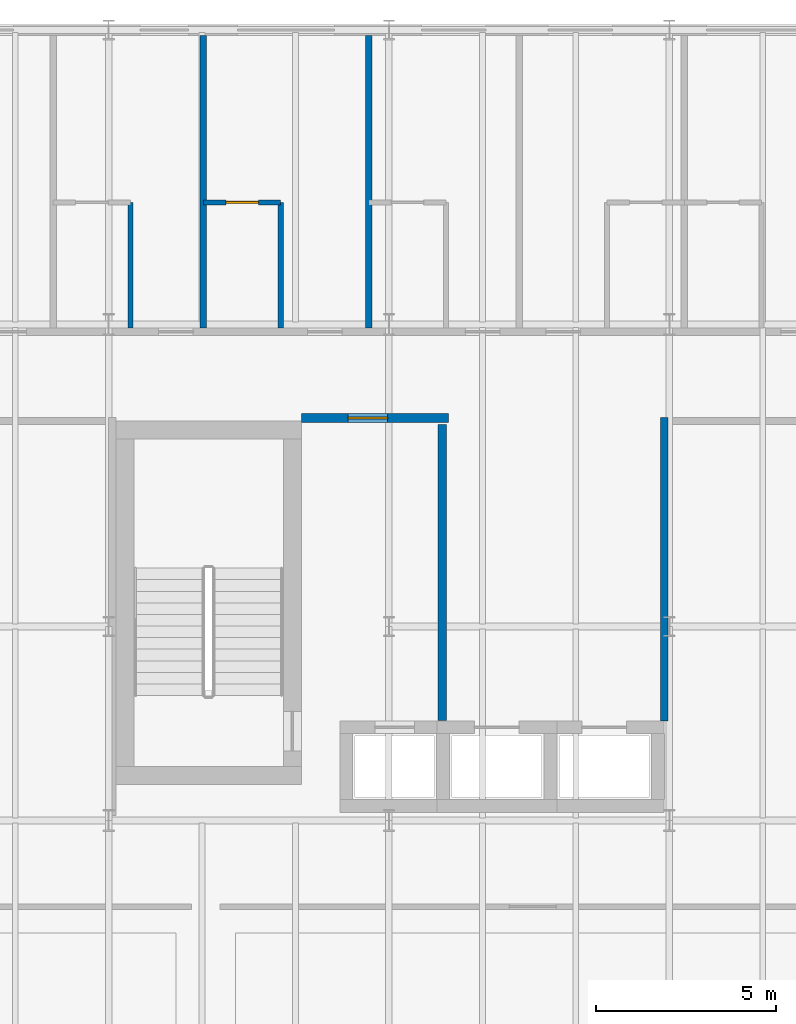
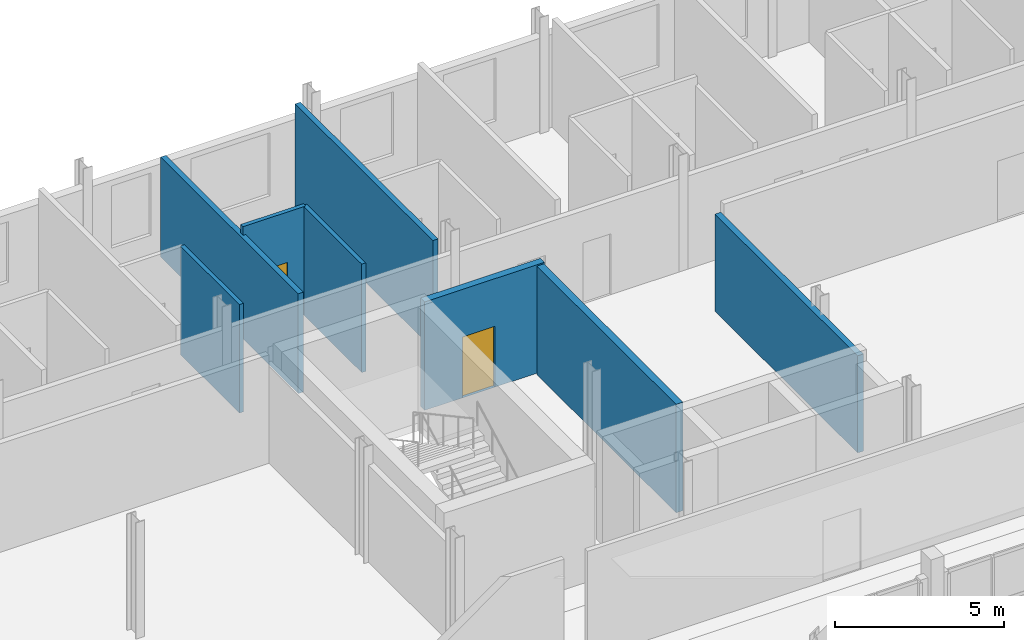
# One storey, part 47 of 58: 8 walls, 2 doors, 2 openings.
"""IFC4 building model written with IfcOpenShell, lengths in metres."""

from ifc_helpers import new_model, si_unit, direction, frame, frame_2d, origin, place, context, subcontext, project, spatial, rectangle, extrude, material, layer, layer_set, type_object, element, fill, save


model = new_model("IFC4")

# Units and contexts
model_context = context("Model", 3, precision=1e-05, world=origin(), true_north=direction((0.0, 1.0)))
body_context = subcontext(model_context, "Body", "Model", "MODEL_VIEW")
ifc_project = project(units=[si_unit("LENGTHUNIT", "METRE"), si_unit("AREAUNIT", "SQUARE_METRE"), si_unit("VOLUMEUNIT", "CUBIC_METRE"), si_unit("PLANEANGLEUNIT", "RADIAN"), si_unit("MASSUNIT", "GRAM", prefix="KILO")], contexts=[model_context])

# Site, building, storey
site_placement = place(None, origin())
site = spatial("IfcSite", under=ifc_project, at=site_placement, CompositionType="ELEMENT")
building_placement = place(site_placement, origin())
building = spatial("IfcBuilding", under=site, at=building_placement, Name="Sefraquen Railside Congress Hotel", CompositionType="ELEMENT")
storey_placement = place(building_placement, frame((0.0, 0.0, 16.199951171875)))
storey = spatial("IfcBuildingStorey", under=building, at=storey_placement, Name="L03", CompositionType="ELEMENT", Elevation=16.199951171875)

# Wall
ifc_material_1 = material(Name="Concrete C40/50", Category="concrete")
ifc_layer_1 = layer(ifc_material_1, 0.239990234375)
ifc_layer_set_1 = layer_set([ifc_layer_1], Name="Concrete C40/50")
wall_type_1 = type_object("IfcWallType", Name="TW-FW-240", PredefinedType="STANDARD", material=ifc_layer_set_1)
wall_1_placement = place(storey_placement, frame((73.47998046875, 98.780029296875, 0.0), z_axis=(0.0, 0.0, 1.0), x_axis=(0.0, 1.0, 0.0)))
element("IfcWall", 1, at=wall_1_placement, inside=storey, type_object=wall_type_1, Name="Firefighting Lift Lobby FFL-03 east fire wall L03", PredefinedType="STANDARD", context=body_context, shape_type="SweptSolid", body=[
    extrude(rectangle(XDim=8.239990234375, YDim=0.239990234375, at=frame_2d((4.1201171875, 0.0))), origin(), (0.0, 0.0, 1.0), 3.920166015625),
])

# Wall, opening, door
wall_2_placement = place(storey_placement, frame((69.56005859375, 107.199951171875, 0.0), z_axis=(0.0, 0.0, 1.0), x_axis=(1.0, 0.0, 0.0)))
wall_2 = element("IfcWall", 2, at=wall_2_placement, inside=storey, type_object=wall_type_1, Name="Firefighting Lift Lobby FFL-03 EI 120 separation wall L03", PredefinedType="STANDARD", context=body_context, shape_type="SweptSolid", body=[
    extrude(rectangle(XDim=4.099853515625, YDim=0.239990234375, at=frame_2d((2.0498046875, 0.0))), origin(), (0.0, 0.0, 1.0), 3.920166015625),
])
opening_1_placement = place(wall_2_placement, frame((1.300048828125, 0.0, 0.0)))
opening_1 = element("IfcOpeningElement", 3, at=opening_1_placement, cuts=wall_2, Name="Opening FD-04", PredefinedType="OPENING", context=body_context, shape_type="SweptSolid", body=[
    extrude(rectangle(XDim=1.10009765625, YDim=2.199951171875, at=frame_2d((0.550048828125, 1.10009765625))), frame((0.0, 0.1298828125, 0.0), z_axis=(0.0, -1.0, 0.0), x_axis=(1.0, 0.0, 0.0)), (0.0, 0.0, 1.0), 0.260009765625),
])
ifc_material_2 = material(Name="Fire-rated steel", Category="steel")
door_type_1 = type_object("IfcDoorType", Name="TD-FD-04", OperationType="NOTDEFINED", PredefinedType="DOOR", material=ifc_material_2)
door_1_placement = place(opening_1_placement, origin())
door_1 = element("IfcDoor", 4, at=door_1_placement, inside=storey, type_object=door_type_1, Name="Firefighting Lift Lobby FFL-03 self-closing fire door L03", OperationType="SINGLE_SWING_LEFT", OverallHeight=2.199951171875, OverallWidth=1.10009765625, PredefinedType="DOOR", context=body_context, shape_type="SweptSolid", body=[
    extrude(rectangle(XDim=1.10009765625, YDim=2.199951171875, at=frame_2d((0.550048828125, 1.10009765625))), frame((0.0, 0.02490234375, 0.0), z_axis=(0.0, -1.0, 0.0), x_axis=(1.0, 0.0, 0.0)), (0.0, 0.0, 1.0), 0.050048828125),
])
fill(opening_1, door_1)

# Walls
ifc_material_3 = material(Name="Moisture-resistant gypsum board", Category="gypsum")
ifc_layer_2 = layer(ifc_material_3, 0.139892578125)
ifc_layer_set_2 = layer_set([ifc_layer_2], Name="Moisture-resistant gypsum board")
wall_type_2 = type_object("IfcWallType", Name="TW-PW-140", PredefinedType="PARTITIONING", material=ifc_layer_set_2)
for number, where, z_axis, x_axis, name in (
    (5, (64.80810546875, 109.699951171875, 0.0), (0.0, 0.0, 1.0), (0.0, 1.0, 0.0), "En-suite bathroom east wall RM-010"),
    (6, (68.989013671875, 109.699951171875, 0.0), (0.0, 0.0, 1.0), (0.0, 1.0, 0.0), "En-suite bathroom east wall RM-011"),
):
    element("IfcWall", number, at=place(storey_placement, frame(where, z_axis=z_axis, x_axis=x_axis)), inside=storey, type_object=wall_type_2, Name=name, PredefinedType="PARTITIONING", context=body_context, shape_type="SweptSolid", body=[
        extrude(rectangle(XDim=3.5, YDim=0.139892578125, at=frame_2d((1.75, 0.0))), origin(), (0.0, 0.0, 1.0), 3.920166015625),
    ])

# Wall, opening, door
wall_3_placement = place(storey_placement, frame((66.839111328125, 113.199951171875, 0.0), z_axis=(0.0, 0.0, 1.0), x_axis=(1.0, 0.0, 0.0)))
wall_3 = element("IfcWall", 7, at=wall_3_placement, inside=storey, type_object=wall_type_2, Name="En-suite bathroom north wall RM-011", PredefinedType="PARTITIONING", context=body_context, shape_type="SweptSolid", body=[
    extrude(rectangle(XDim=2.14990234375, YDim=0.139892578125, at=frame_2d((1.074951171875, 0.0))), origin(), (0.0, 0.0, 1.0), 3.920166015625),
])
opening_2_placement = place(wall_3_placement, frame((0.625, 0.0, 0.0)))
opening_2 = element("IfcOpeningElement", 8, at=opening_2_placement, cuts=wall_3, Name="Opening ID-02", PredefinedType="OPENING", context=body_context, shape_type="SweptSolid", body=[
    extrude(rectangle(XDim=0.89990234375, YDim=2.10009765625, at=frame_2d((0.449951171875, 1.050048828125))), frame((0.0, 0.079833984375, 0.0), z_axis=(0.0, -1.0, 0.0), x_axis=(1.0, 0.0, 0.0)), (0.0, 0.0, 1.0), 0.159912109375),
])
ifc_material_4 = material(Name="Lacquered cedar joinery", Category="wood")
door_type_2 = type_object("IfcDoorType", Name="TD-ID-02", OperationType="NOTDEFINED", PredefinedType="DOOR", material=ifc_material_4)
door_2_placement = place(opening_2_placement, origin())
door_2 = element("IfcDoor", 9, at=door_2_placement, inside=storey, type_object=door_type_2, Name="En-suite bathroom door RM-011", OperationType="SINGLE_SWING_LEFT", OverallHeight=2.10009765625, OverallWidth=0.89990234375, PredefinedType="DOOR", context=body_context, shape_type="SweptSolid", body=[
    extrude(rectangle(XDim=0.89990234375, YDim=2.10009765625, at=frame_2d((0.449951171875, 1.050048828125))), frame((0.0, 0.02490234375, 0.0), z_axis=(0.0, -1.0, 0.0), x_axis=(1.0, 0.0, 0.0)), (0.0, 0.0, 1.0), 0.050048828125),
])
fill(opening_2, door_2)

# Walls
ifc_material_5 = material(Name="Acoustic gypsum board on metal stud", Category="gypsum")
ifc_layer_3 = layer(ifc_material_5, 0.179931640625)
ifc_layer_set_3 = layer_set([ifc_layer_3], Name="Acoustic gypsum board on metal stud")
wall_type_3 = type_object("IfcWallType", Name="TW-PW-180", PredefinedType="PARTITIONING", material=ifc_layer_set_3)
wall_4_placement = place(storey_placement, frame((66.839111328125, 109.699951171875, 0.0), z_axis=(0.0, 0.0, 1.0), x_axis=(0.0, 1.0, 0.0)))
element("IfcWall", 10, at=wall_4_placement, inside=storey, type_object=wall_type_3, Name="Guest room demising wall RM-010", PredefinedType="PARTITIONING", context=body_context, shape_type="SweptSolid", body=[
    extrude(rectangle(XDim=8.150146484375, YDim=0.179931640625, at=frame_2d((4.0751953125, 0.0))), origin(), (0.0, 0.0, 1.0), 3.610107421875),
])
wall_5_placement = place(storey_placement, frame((71.43994140625, 109.699951171875, 0.0), z_axis=(0.0, 0.0, 1.0), x_axis=(0.0, 1.0, 0.0)))
element("IfcWall", 11, at=wall_5_placement, inside=storey, type_object=wall_type_3, Name="Guest room demising wall RM-011", PredefinedType="PARTITIONING", context=body_context, shape_type="SweptSolid", body=[
    extrude(rectangle(XDim=8.150146484375, YDim=0.179931640625, at=frame_2d((4.0751953125, 0.0))), origin(), (0.0, 0.0, 1.0), 3.920166015625),
])
ifc_layer_4 = layer(ifc_material_5, 0.199951171875)
ifc_layer_set_4 = layer_set([ifc_layer_4], Name="Acoustic gypsum board on metal stud")
wall_type_4 = type_object("IfcWallType", Name="TW-PW-200", PredefinedType="PARTITIONING", material=ifc_layer_set_4)
wall_6_placement = place(storey_placement, frame((79.659912109375, 98.77001953125, 0.0), z_axis=(0.0, 0.0, 1.0), x_axis=(0.0, 1.0, 0.0)))
element("IfcWall", 12, at=wall_6_placement, inside=storey, type_object=wall_type_4, Name="Hotel L03 south-east west end fire-rated partition", PredefinedType="PARTITIONING", context=body_context, shape_type="SweptSolid", body=[
    extrude(rectangle(XDim=8.449951171875, YDim=0.199951171875, at=frame_2d((4.22509765625, 0.0))), origin(), (0.0, 0.0, 1.0), 3.510009765625),
])

save(model, "model.ifc")
